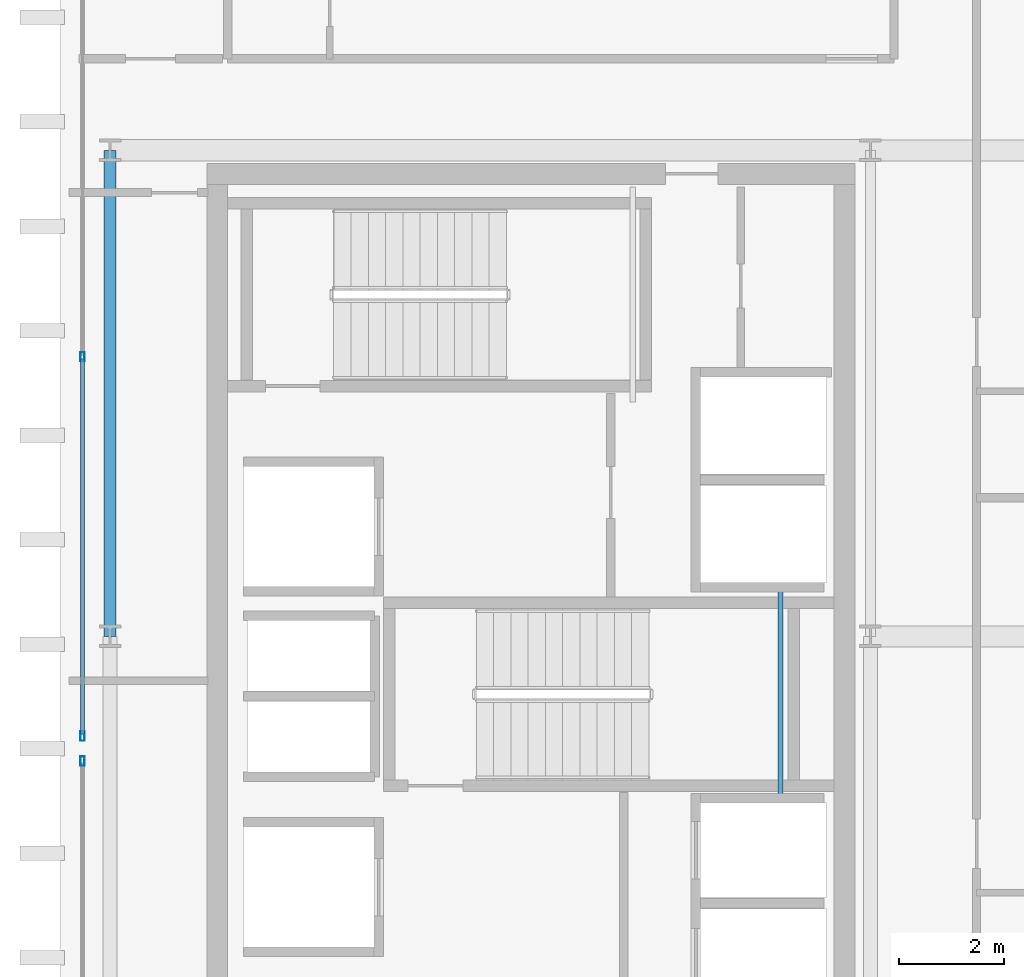
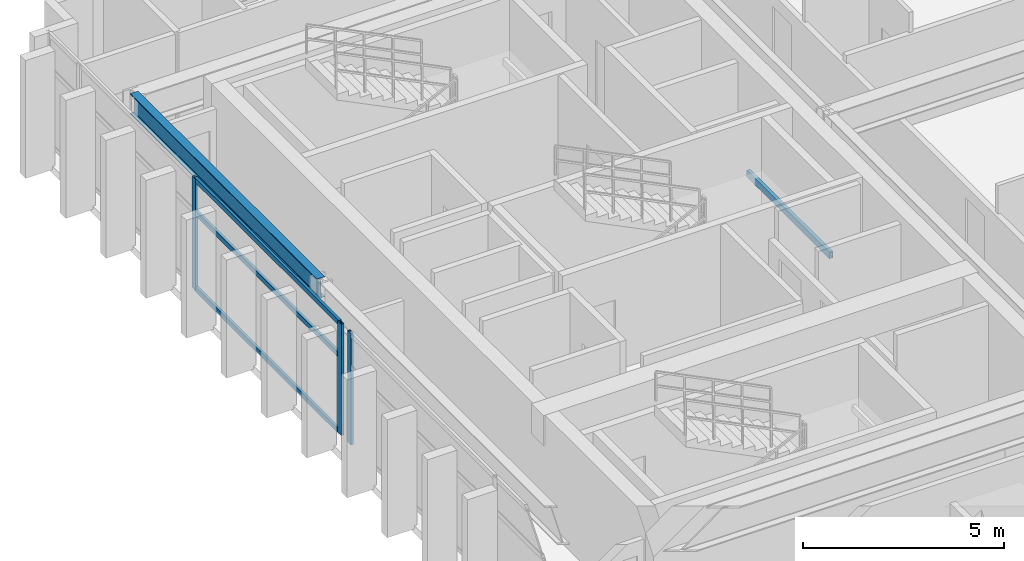
# One storey, part 6 of 15: 6 members, 2 beams, 2 elements without a shape of their own.
"""IFC4 building model written with IfcOpenShell, lengths in metres."""

from ifc_helpers import new_model, si_unit, direction, frame, origin, origin_2d, place, context, subcontext, project, spatial, hollow_rectangle, i_section, extrude, source, transform, mapped, material, layer, layer_set, material_profile, profile_set, type_object, element, aggregate, save


model = new_model("IFC4")

# Units and contexts
model_context = context("Model", 3, precision=1e-05, world=origin(), true_north=direction((0.0, 1.0)))
body_context = subcontext(model_context, "Body", "Model", "MODEL_VIEW")
ifc_project = project(units=[si_unit("LENGTHUNIT", "METRE"), si_unit("AREAUNIT", "SQUARE_METRE"), si_unit("VOLUMEUNIT", "CUBIC_METRE"), si_unit("PLANEANGLEUNIT", "RADIAN"), si_unit("MASSUNIT", "GRAM", prefix="KILO")], contexts=[model_context])

# Site, building, storey
site_placement = place(None, origin())
site = spatial("IfcSite", under=ifc_project, at=site_placement, CompositionType="ELEMENT")
building_placement = place(site_placement, origin())
building = spatial("IfcBuilding", under=site, at=building_placement, Name="Ocotamira Hotel", CompositionType="ELEMENT")
storey_placement = place(building_placement, frame((0.0, 0.0, 279.60009765625)))
storey = spatial("IfcBuildingStorey", under=building, at=storey_placement, Name="L71", CompositionType="ELEMENT", Elevation=279.60009765625)

# Beams
ifc_material_1 = material(Name="Steel ASTM A500 Grade C", Category="steel")
ifc_material_profile_1 = material_profile(ifc_material_1, hollow_rectangle(XDim=0.10009765625, YDim=0.199951171875, WallThickness=0.008056640625, at=origin_2d()), Name="HSS200X100X8")
ifc_profile_set_1 = profile_set([ifc_material_profile_1], Name="Steel ASTM A500 Grade C")
beam_type_1 = type_object("IfcBeamType", Name="BM-STLDG-HSS200", PredefinedType="BEAM", material=ifc_profile_set_1)
shared_shape_1 = source(origin(), body_context, "Body", "SweptSolid", [
    extrude(hollow_rectangle(XDim=0.10009765625, YDim=0.199951171875, WallThickness=0.008056640625, at=origin_2d()), origin(), (0.0, 0.0, 1.0), 4.1201171875),
])
beam_1_placement = place(storey_placement, frame((21.780029296875, 24.97998046875, 1.5), z_axis=(0.0, 1.0, 0.0), x_axis=(-1.0, 0.0, 0.0)))
element("IfcBeam", 1, at=beam_1_placement, inside=storey, type_object=beam_type_1, Name="L71 Stair ST-3 Landing Bearer 1", PredefinedType="BEAM", context=body_context, shape_type="MappedRepresentation", body=[
    mapped(shared_shape_1, transform((0.0, 0.0, 0.0), scale=1.0)),
])
ifc_material_2 = material(Name="Steel ASTM A992 Grade 50", Category="steel")
ifc_material_profile_2 = material_profile(ifc_material_2, i_section(OverallWidth=0.22998046875, OverallDepth=0.616943359375, WebThickness=0.01318359375, FlangeThickness=0.022216796875, FilletRadius=0.012939453125, at=origin_2d()), Name="W24X94")
ifc_profile_set_2 = profile_set([ifc_material_profile_2], Name="Steel ASTM A992 Grade 50")
beam_type_2 = type_object("IfcBeamType", Name="BM-PRIM-W24X94", PredefinedType="BEAM", material=ifc_profile_set_2)
shared_shape_2 = source(origin(), body_context, "Body", "SweptSolid", [
    extrude(i_section(OverallWidth=0.22998046875, OverallDepth=0.616943359375, WebThickness=0.01318359375, FlangeThickness=0.022216796875, FilletRadius=0.012939453125, at=origin_2d()), origin(), (0.0, 0.0, 1.0), 9.300048828125),
])
beam_2_placement = place(storey_placement, frame((8.949951171875, 28.14990234375, 3.0712890625), z_axis=(0.0, 1.0, 0.0), x_axis=(-1.0, 0.0, 0.0)))
element("IfcBeam", 2, at=beam_2_placement, inside=storey, type_object=beam_type_2, Name="L71 Beam X8.95 Y28.15-37.45", PredefinedType="BEAM", context=body_context, shape_type="MappedRepresentation", body=[
    mapped(shared_shape_2, transform((0.0, 0.0, 0.0), scale=1.0)),
])

# Curtain wall, member
ifc_material_3 = material(Name="Anodised pale-metal aluminium and solar glass", Category="aluminium")
ifc_layer = layer(ifc_material_3, 0.2099609375)
ifc_layer_set = layer_set([ifc_layer], Name="Anodised pale-metal aluminium and solar glass")
curtain_wall_type = type_object("IfcCurtainWallType", Name="CW-SYS7-PEAK", PredefinedType="NOTDEFINED", material=ifc_layer_set)
curtain_wall_1_placement = place(storey_placement, origin())
curtain_wall_1 = element("IfcCurtainWall", 3, at=curtain_wall_1_placement, inside=storey, type_object=curtain_wall_type, Name="L71 Curtain Wall CW-7 CW-L71-W1", PredefinedType="NOTDEFINED")
ifc_material_4 = material(Name="Anodised pale-metal aluminium 6063-T6", Category="aluminium")
ifc_material_profile_3 = material_profile(ifc_material_4, hollow_rectangle(XDim=0.080078125, YDim=0.179931640625, WallThickness=0.006103515625, at=origin_2d()), Name="HSS180X80X6")
ifc_profile_set_3 = profile_set([ifc_material_profile_3], Name="Anodised pale-metal aluminium 6063-T6")
member_type_1 = type_object("IfcMemberType", Name="CWM-180X75", PredefinedType="MULLION", material=ifc_profile_set_3)
shared_shape_3 = source(origin(), body_context, "Body", "SweptSolid", [
    extrude(hollow_rectangle(XDim=0.080078125, YDim=0.179931640625, WallThickness=0.006103515625, at=origin_2d()), origin(), (0.0, 0.0, 1.0), 3.3798828125),
])
member_1_placement = place(storey_placement, frame((8.419921875, 25.760009765625, 0.0), z_axis=(0.0, 0.0, 1.0), x_axis=(-1.0, 0.0, 0.0)))
member_1 = element("IfcMember", 4, at=member_1_placement, type_object=member_type_1, Name="CW-7 mullion 3", PredefinedType="MULLION", context=body_context, shape_type="MappedRepresentation", body=[
    mapped(shared_shape_3, transform((0.0, 0.0, 0.0), scale=1.0)),
])
aggregate(curtain_wall_1, [member_1])

# Curtain wall, members
curtain_wall_2_placement = place(storey_placement, origin())
curtain_wall_2 = element("IfcCurtainWall", 5, at=curtain_wall_2_placement, inside=storey, type_object=curtain_wall_type, Name="L71 Curtain Wall CW-7 CW-L71-W2", PredefinedType="NOTDEFINED")
member_2_placement = place(storey_placement, frame((8.419921875, 26.239990234375, 0.0), z_axis=(0.0, 0.0, 1.0), x_axis=(-1.0, 0.0, 0.0)))
member_2 = element("IfcMember", 6, at=member_2_placement, type_object=member_type_1, Name="CW-7 mullion 1", PredefinedType="MULLION", context=body_context, shape_type="MappedRepresentation", body=[
    mapped(shared_shape_3, transform((0.0, 0.0, 0.0), scale=1.0)),
])
member_3_placement = place(storey_placement, frame((8.419921875, 33.5, 0.0), z_axis=(0.0, 0.0, 1.0), x_axis=(-1.0, 0.0, 0.0)))
member_3 = element("IfcMember", 7, at=member_3_placement, type_object=member_type_1, Name="CW-7 mullion 2", PredefinedType="MULLION", context=body_context, shape_type="MappedRepresentation", body=[
    mapped(shared_shape_3, transform((0.0, 0.0, 0.0), scale=1.0)),
])
ifc_material_profile_4 = material_profile(ifc_material_4, hollow_rectangle(XDim=0.074951171875, YDim=0.14990234375, WallThickness=0.006103515625, at=origin_2d()), Name="HSS150X75X6")
ifc_profile_set_4 = profile_set([ifc_material_profile_4], Name="Anodised pale-metal aluminium 6063-T6")
member_type_2 = type_object("IfcMemberType", Name="CWT-150X75", PredefinedType="USERDEFINED", material=ifc_profile_set_4)
shared_shape_4 = source(origin(), body_context, "Body", "SweptSolid", [
    extrude(hollow_rectangle(XDim=0.074951171875, YDim=0.14990234375, WallThickness=0.006103515625, at=origin_2d()), origin(), (0.0, 0.0, 1.0), 7.179931640625),
])
member_4_placement = place(storey_placement, frame((8.419921875, 26.280029296875, 0.037353515625), z_axis=(0.0, 1.0, 0.0), x_axis=(-1.0, 0.0, 0.0)))
member_4 = element("IfcMember", 8, at=member_4_placement, type_object=member_type_2, Name="CW-7 transom 1.1", ObjectType="TRANSOM", PredefinedType="USERDEFINED", context=body_context, shape_type="MappedRepresentation", body=[
    mapped(shared_shape_4, transform((0.0, 0.0, 0.0), scale=1.0)),
])
member_5_placement = place(storey_placement, frame((8.419921875, 26.280029296875, 2.349853515625), z_axis=(0.0, 1.0, 0.0), x_axis=(-1.0, 0.0, 0.0)))
member_5 = element("IfcMember", 9, at=member_5_placement, type_object=member_type_2, Name="CW-7 transom 1.2", ObjectType="TRANSOM", PredefinedType="USERDEFINED", context=body_context, shape_type="MappedRepresentation", body=[
    mapped(shared_shape_4, transform((0.0, 0.0, 0.0), scale=1.0)),
])
member_6_placement = place(storey_placement, frame((8.419921875, 26.280029296875, 3.34228515625), z_axis=(0.0, 1.0, 0.0), x_axis=(-1.0, 0.0, 0.0)))
member_6 = element("IfcMember", 10, at=member_6_placement, type_object=member_type_2, Name="CW-7 transom 1.3", ObjectType="TRANSOM", PredefinedType="USERDEFINED", context=body_context, shape_type="MappedRepresentation", body=[
    mapped(shared_shape_4, transform((0.0, 0.0, 0.0), scale=1.0)),
])
aggregate(curtain_wall_2, [member_2, member_3, member_4, member_5, member_6])

save(model, "model.ifc")
